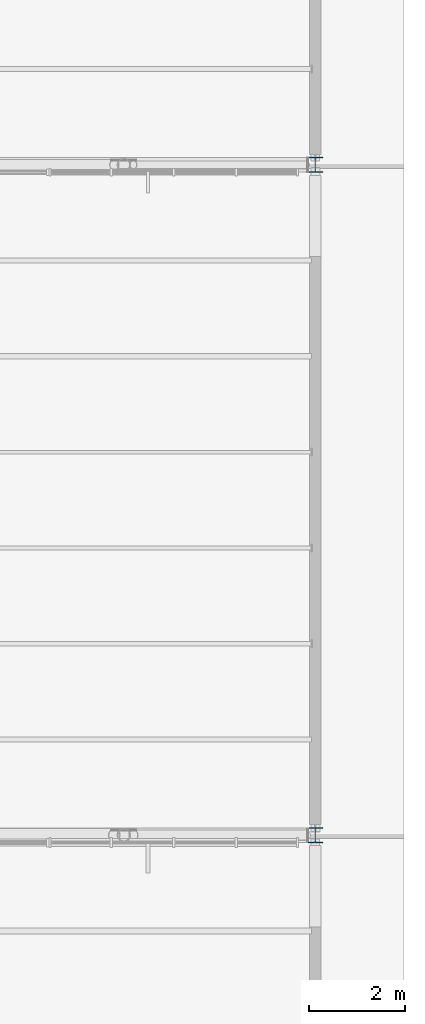
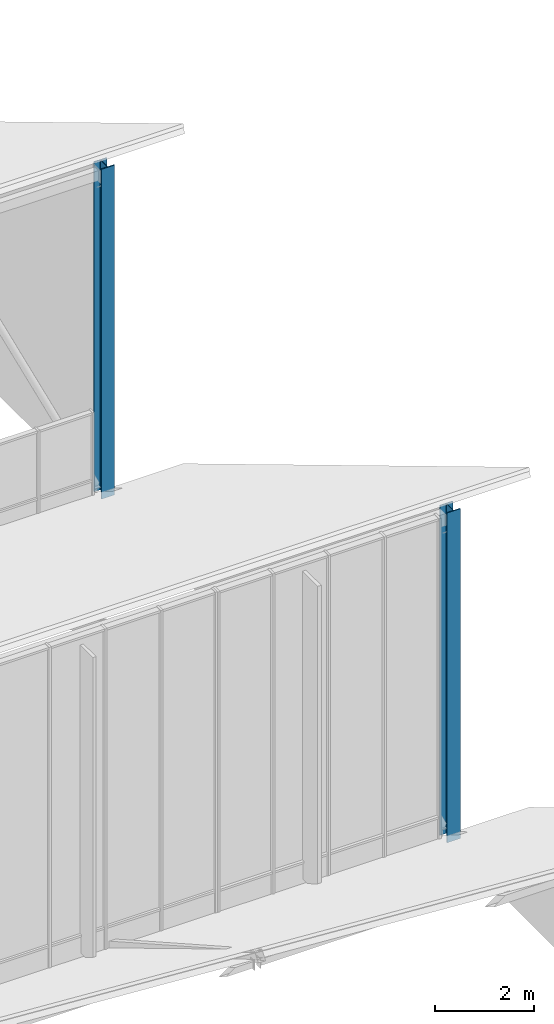
# One storey, part 7 of 155: 2 columns.
"""IFC4 building model written with IfcOpenShell, lengths in metres."""

from ifc_helpers import new_model, si_unit, direction, frame, origin, origin_2d, place, context, subcontext, project, spatial, i_section, extrude, material, material_profile, profile_set, type_object, element, save


model = new_model("IFC4")

# Units and contexts
model_context = context("Model", 3, precision=1e-05, world=origin(), true_north=direction((0.0, 1.0)))
body_context = subcontext(model_context, "Body", "Model", "MODEL_VIEW")
ifc_project = project(units=[si_unit("LENGTHUNIT", "METRE"), si_unit("AREAUNIT", "SQUARE_METRE"), si_unit("VOLUMEUNIT", "CUBIC_METRE"), si_unit("PLANEANGLEUNIT", "RADIAN"), si_unit("MASSUNIT", "GRAM", prefix="KILO")], contexts=[model_context])

# Site, building, storey
site_placement = place(None, origin())
site = spatial("IfcSite", under=ifc_project, at=site_placement, CompositionType="ELEMENT")
building_placement = place(site_placement, origin())
building = spatial("IfcBuilding", under=site, at=building_placement, Name="Larkveld Mobility Hub", CompositionType="ELEMENT")
storey_placement = place(building_placement, frame((0.0, 0.0, 8.39990234375)))
storey = spatial("IfcBuildingStorey", under=building, at=storey_placement, Name="L02", CompositionType="ELEMENT", Elevation=8.39990234375)

# Columns
ifc_material = material(Name="Steel S355JR", Category="steel")
ifc_material_profile = material_profile(ifc_material, i_section(OverallWidth=0.30908203125, OverallDepth=0.320556640625, WebThickness=0.013916015625, FlangeThickness=0.021728515625, FilletRadius=0.01513671875, at=origin_2d()), Name="UC 305x305x137")
ifc_profile_set = profile_set([ifc_material_profile], Name="Steel S355JR")
column_type = type_object("IfcColumnType", Name="CL-STUC305", PredefinedType="COLUMN", material=ifc_profile_set)
for number, where, z_axis, x_axis, name in (
    (1, (184.0, 70.0, 0.0), (0.0, 0.0, 1.0), (1.0, 0.0, 0.0), "Sawtooth Clerestory Truss Post B4-E"),
    (2, (184.0, 84.0, 0.0), (0.0, 0.0, 1.0), (1.0, 0.0, 0.0), "Sawtooth Clerestory Truss Post B5-E"),
):
    element("IfcColumn", number, at=place(storey_placement, frame(where, z_axis=z_axis, x_axis=x_axis)), inside=storey, type_object=column_type, Name=name, PredefinedType="COLUMN", context=body_context, shape_type="SweptSolid", body=[
        extrude(i_section(OverallWidth=0.30908203125, OverallDepth=0.320556640625, WebThickness=0.013916015625, FlangeThickness=0.021728515625, FilletRadius=0.01513671875, at=origin_2d()), origin(), (0.0, 0.0, 1.0), 8.150146484375),
    ])

save(model, "model.ifc")
